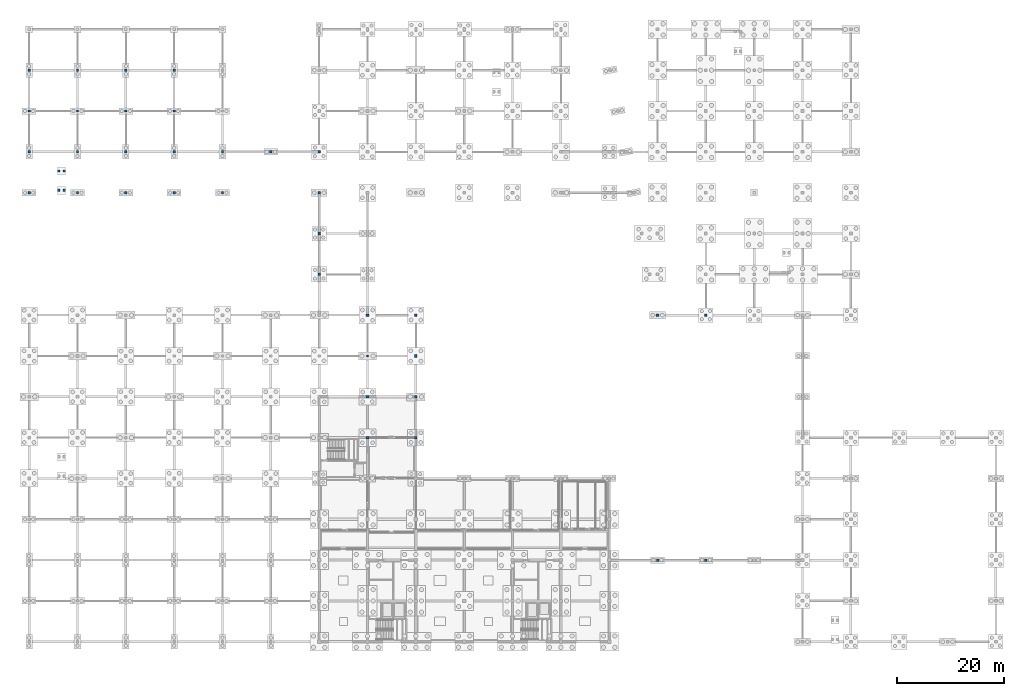
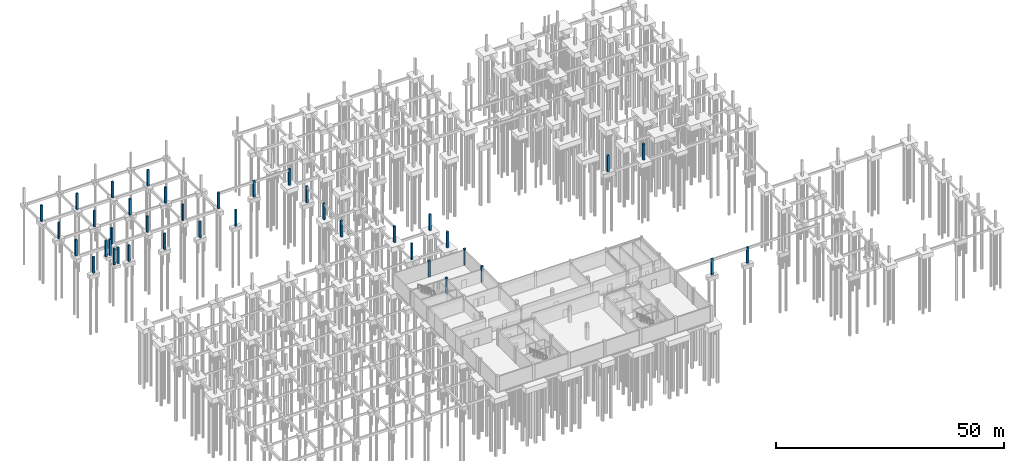
# One storey, part 19 of 28: 39 columns.
"""IFC4 building model written with IfcOpenShell, lengths in metres."""

from ifc_helpers import new_model, si_unit, direction, frame, origin, origin_2d, place, context, subcontext, project, spatial, rectangle, extrude, material, material_profile, profile_set, type_object, element, save


model = new_model("IFC4")

# Units and contexts
model_context = context("Model", 3, precision=1e-05, world=origin(), true_north=direction((0.0, 1.0)))
body_context = subcontext(model_context, "Body", "Model", "MODEL_VIEW")
ifc_project = project(units=[si_unit("LENGTHUNIT", "METRE"), si_unit("AREAUNIT", "SQUARE_METRE"), si_unit("VOLUMEUNIT", "CUBIC_METRE"), si_unit("PLANEANGLEUNIT", "RADIAN"), si_unit("MASSUNIT", "GRAM", prefix="KILO")], contexts=[model_context])

# Site, building, storey
site_placement = place(None, origin())
site = spatial("IfcSite", under=ifc_project, at=site_placement, CompositionType="ELEMENT")
building_placement = place(site_placement, origin())
building = spatial("IfcBuilding", under=site, at=building_placement, Name="Caisbarro Railhouse Central Library", CompositionType="ELEMENT")
storey_placement = place(building_placement, frame((0.0, 0.0, -4.320068359375)))
storey = spatial("IfcBuildingStorey", under=building, at=storey_placement, Name="B01", CompositionType="ELEMENT", Elevation=-4.320068359375)

# Columns
ifc_material = material(Name="Concrete C40", Category="concrete")
ifc_material_profile_1 = material_profile(ifc_material, rectangle(XDim=0.449951171875, YDim=0.449951171875, at=origin_2d()), Name="RC-COL-450X450")
ifc_profile_set_1 = profile_set([ifc_material_profile_1], Name="Concrete C40")
column_type_1 = type_object("IfcColumnType", Name="COL-RC45", PredefinedType="COLUMN", material=ifc_profile_set_1)
for number, where, z_axis, x_axis, name in (
    (1, (0.0, 83.60009765625, 0.0), (0.0, 0.0, 1.0), (1.0, 0.0, 0.0), "RC45 column B01 (0.0,83.6)"),
    (2, (0.0, 91.199951171875, 0.0), (0.0, 0.0, 1.0), (1.0, 0.0, 0.0), "RC45 column B01 (0.0,91.2)"),
    (3, (0.0, 98.800048828125, 0.0), (0.0, 0.0, 1.0), (1.0, 0.0, 0.0), "RC45 column B01 (0.0,98.8)"),
    (4, (0.0, 106.39990234375, 0.0), (0.0, 0.0, 1.0), (1.0, 0.0, 0.0), "RC45 column B01 (0.0,106.4)"),
    (5, (9.0, 83.60009765625, 0.0), (0.0, 0.0, 1.0), (1.0, 0.0, 0.0), "RC45 column B01 (9.0,83.6)"),
    (6, (9.0, 91.199951171875, 0.0), (0.0, 0.0, 1.0), (1.0, 0.0, 0.0), "RC45 column B01 (9.0,91.2)"),
    (7, (9.0, 98.800048828125, 0.0), (0.0, 0.0, 1.0), (1.0, 0.0, 0.0), "RC45 column B01 (9.0,98.8)"),
    (8, (9.0, 106.39990234375, 0.0), (0.0, 0.0, 1.0), (1.0, 0.0, 0.0), "RC45 column B01 (9.0,106.4)"),
    (9, (18.0, 83.60009765625, 0.0), (0.0, 0.0, 1.0), (1.0, 0.0, 0.0), "RC45 column B01 (18.0,83.6)"),
    (10, (18.0, 91.199951171875, 0.0), (0.0, 0.0, 1.0), (1.0, 0.0, 0.0), "RC45 column B01 (18.0,91.2)"),
    (11, (18.0, 98.800048828125, 0.0), (0.0, 0.0, 1.0), (1.0, 0.0, 0.0), "RC45 column B01 (18.0,98.8)"),
    (12, (18.0, 106.39990234375, 0.0), (0.0, 0.0, 1.0), (1.0, 0.0, 0.0), "RC45 column B01 (18.0,106.4)"),
    (13, (27.0, 83.60009765625, 0.0), (0.0, 0.0, 1.0), (1.0, 0.0, 0.0), "RC45 column B01 (27.0,83.6)"),
    (14, (27.0, 91.199951171875, 0.0), (0.0, 0.0, 1.0), (1.0, 0.0, 0.0), "RC45 column B01 (27.0,91.2)"),
    (15, (27.0, 98.800048828125, 0.0), (0.0, 0.0, 1.0), (1.0, 0.0, 0.0), "RC45 column B01 (27.0,98.8)"),
    (16, (27.0, 106.39990234375, 0.0), (0.0, 0.0, 1.0), (1.0, 0.0, 0.0), "RC45 column B01 (27.0,106.4)"),
    (17, (36.0, 83.60009765625, 0.0), (0.0, 0.0, 1.0), (1.0, 0.0, 0.0), "RC45 column B01 (36.0,83.6)"),
    (18, (36.0, 91.199951171875, 0.0), (0.0, 0.0, 1.0), (1.0, 0.0, 0.0), "RC45 column B01 (36.0,91.2)"),
    (19, (63.0, 53.199951171875, 0.0), (0.0, 0.0, 1.0), (1.0, 0.0, 0.0), "RC45 column B01 (63.0,53.2)"),
    (20, (45.0, 91.199951171875, 0.0), (0.0, 0.0, 1.0), (1.0, 0.0, 0.0), "RC45 grade link pier 1"),
    (21, (117.0, 15.199951171875, 0.0), (0.0, 0.0, 1.0), (1.0, 0.0, 0.0), "RC45 grade link pier 2"),
    (22, (126.0, 15.199951171875, 0.0), (0.0, 0.0, 1.0), (1.0, 0.0, 0.0), "RC45 grade link pier 3"),
    (23, (5.5, 84.02001953125, 0.0), (0.0, 0.0, 1.0), (1.0, 0.0, 0.0), "RC45 Stair Foundation Pier K8.1"),
    (24, (5.5, 87.6298828125, 0.0), (0.0, 0.0, 1.0), (1.0, 0.0, 0.0), "RC45 Stair Foundation Pier K8.2"),
    (25, (6.5, 84.02001953125, 0.0), (0.0, 0.0, 1.0), (1.0, 0.0, 0.0), "RC45 Stair Foundation Pier K8.3"),
    (26, (6.5, 87.6298828125, 0.0), (0.0, 0.0, 1.0), (1.0, 0.0, 0.0), "RC45 Stair Foundation Pier K8.4"),
):
    element("IfcColumn", number, at=place(storey_placement, frame(where, z_axis=z_axis, x_axis=x_axis)), inside=storey, type_object=column_type_1, Name=name, PredefinedType="COLUMN", context=body_context, shape_type="SweptSolid", body=[
        extrude(rectangle(XDim=0.449951171875, YDim=0.449951171875, at=origin_2d()), origin(), (0.0, 0.0, 1.0), 4.320068359375),
    ])
ifc_material_profile_2 = material_profile(ifc_material, rectangle(XDim=0.5, YDim=0.5, at=origin_2d()), Name="RC-COL-500X500")
ifc_profile_set_2 = profile_set([ifc_material_profile_2], Name="Concrete C40")
column_type_2 = type_object("IfcColumnType", Name="COL-RC50", PredefinedType="COLUMN", material=ifc_profile_set_2)
for number, where, z_axis, x_axis, name in (
    (27, (54.0, 68.39990234375, 0.0), (0.0, 0.0, 1.0), (1.0, 0.0, 0.0), "RC50 column B01 (54.0,68.4)"),
    (28, (54.0, 76.0, 0.0), (0.0, 0.0, 1.0), (1.0, 0.0, 0.0), "RC50 column B01 (54.0,76.0)"),
    (29, (54.0, 83.60009765625, 0.0), (0.0, 0.0, 1.0), (1.0, 0.0, 0.0), "RC50 column B01 (54.0,83.6)"),
    (30, (54.0, 91.199951171875, 0.0), (0.0, 0.0, 1.0), (1.0, 0.0, 0.0), "RC50 column B01 (54.0,91.2)"),
    (31, (63.0, 38.0, 0.0), (0.0, 0.0, 1.0), (1.0, 0.0, 0.0), "RC50 column B01 (63.0,38.0)"),
    (32, (63.0, 45.60009765625, 0.0), (0.0, 0.0, 1.0), (1.0, 0.0, 0.0), "RC50 column B01 (63.0,45.6)"),
    (33, (63.0, 60.800048828125, 0.0), (0.0, 0.0, 1.0), (1.0, 0.0, 0.0), "RC50 column B01 (63.0,60.8)"),
    (34, (72.0, 38.0, 0.0), (0.0, 0.0, 1.0), (1.0, 0.0, 0.0), "RC50 column B01 (72.0,38.0)"),
    (35, (72.0, 45.60009765625, 0.0), (0.0, 0.0, 1.0), (1.0, 0.0, 0.0), "RC50 column B01 (72.0,45.6)"),
    (36, (72.0, 53.199951171875, 0.0), (0.0, 0.0, 1.0), (1.0, 0.0, 0.0), "RC50 column B01 (72.0,53.2)"),
    (37, (72.0, 60.800048828125, 0.0), (0.0, 0.0, 1.0), (1.0, 0.0, 0.0), "RC50 column B01 (72.0,60.8)"),
    (38, (117.0, 60.800048828125, 0.0), (0.0, 0.0, 1.0), (1.0, 0.0, 0.0), "RC50 column B01 (117.0,60.8)"),
    (39, (126.0, 60.800048828125, 0.0), (0.0, 0.0, 1.0), (1.0, 0.0, 0.0), "RC50 column B01 (126.0,60.8)"),
):
    element("IfcColumn", number, at=place(storey_placement, frame(where, z_axis=z_axis, x_axis=x_axis)), inside=storey, type_object=column_type_2, Name=name, PredefinedType="COLUMN", context=body_context, shape_type="SweptSolid", body=[
        extrude(rectangle(XDim=0.5, YDim=0.5, at=origin_2d()), origin(), (0.0, 0.0, 1.0), 4.320068359375),
    ])

save(model, "model.ifc")
